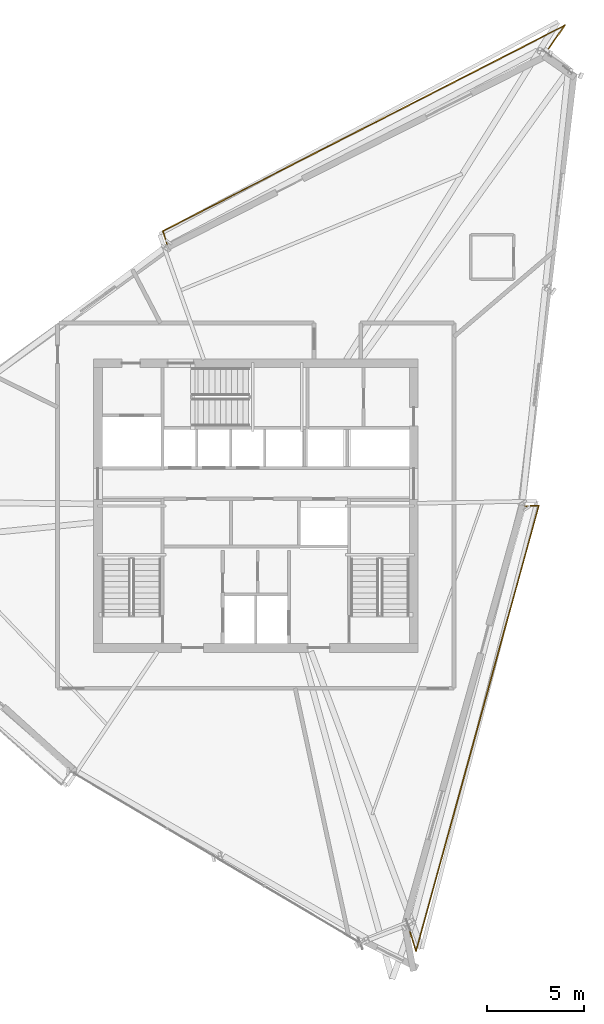
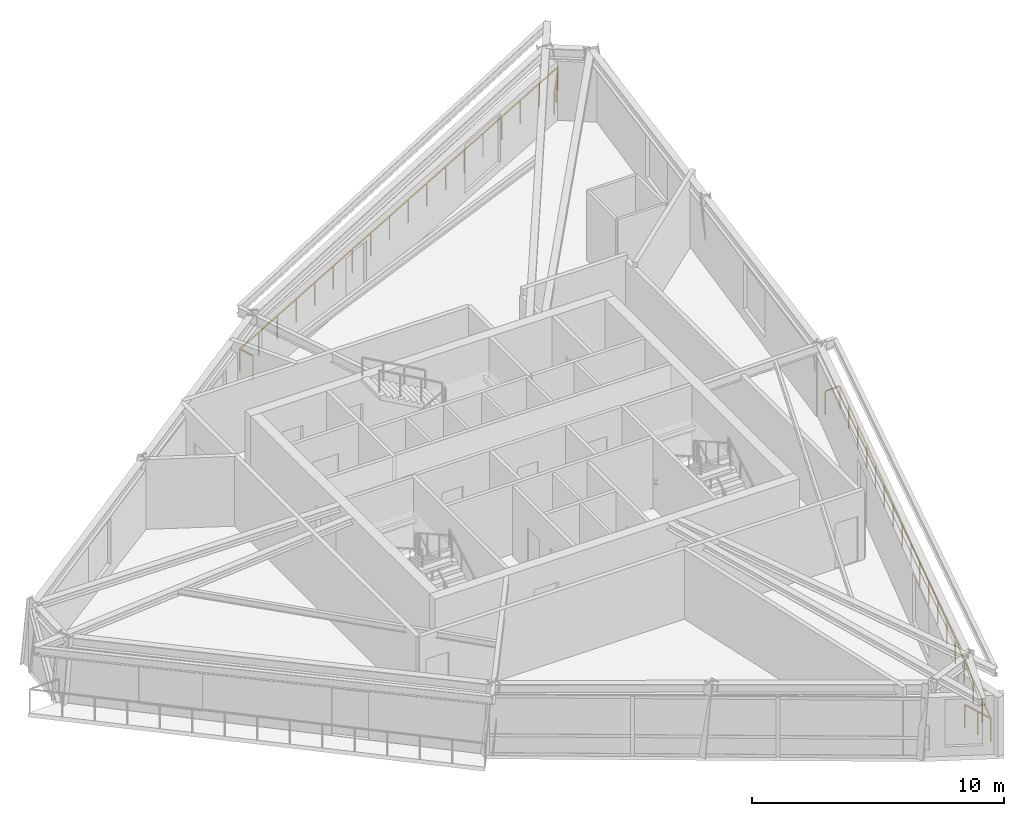
# One storey, part 14 of 14: 2 railings.
"""IFC4 building model written with IfcOpenShell, lengths in metres."""

from ifc_helpers import new_model, si_unit, direction, frame, origin, origin_2d, place, context, subcontext, project, spatial, rectangle, extrude, material, type_object, element, save


model = new_model("IFC4")

# Units and contexts
model_context = context("Model", 3, precision=1e-05, world=origin(), true_north=direction((0.0, 1.0)))
body_context = subcontext(model_context, "Body", "Model", "MODEL_VIEW")
ifc_project = project(units=[si_unit("LENGTHUNIT", "METRE"), si_unit("AREAUNIT", "SQUARE_METRE"), si_unit("VOLUMEUNIT", "CUBIC_METRE"), si_unit("PLANEANGLEUNIT", "RADIAN"), si_unit("MASSUNIT", "GRAM", prefix="KILO")], contexts=[model_context])

# Site, building, storey
site_placement = place(None, origin())
site = spatial("IfcSite", under=ifc_project, at=site_placement, CompositionType="ELEMENT")
building_placement = place(site_placement, origin())
building = spatial("IfcBuilding", under=site, at=building_placement, Name="Olszyna Solenne Hotel", CompositionType="ELEMENT")
storey_placement = place(building_placement, frame((0.0, 0.0, 259.699951171875)))
storey = spatial("IfcBuildingStorey", under=building, at=storey_placement, Name="L69", CompositionType="ELEMENT", Elevation=259.699951171875)

# Railings
ifc_material = material(Name="Anodised bronze aluminium", Category="aluminium")
railing_type = type_object("IfcRailingType", Name="GR-110", PredefinedType="BALUSTRADE", material=ifc_material)
railing_1_placement = place(storey_placement, frame((52.938232421875, 49.9248046875, 0.0)))
element("IfcRailing", 1, at=railing_1_placement, inside=storey, type_object=railing_type, Name="Loggia balcony balustrade guard GR-L69-LG1", PredefinedType="BALUSTRADE", context=body_context, shape_type="SweptSolid", body=[
    extrude(rectangle(XDim=0.048095703125, YDim=0.048095703125, at=origin_2d()), frame((0.0, 0.0, 1.1259765625), z_axis=(0.568902330631, 0.822405093736, 0.0), x_axis=(-0.822405093736, 0.568902330631, 0.0)), (0.0, 0.0, 1.0), 1.692138671875),
    extrude(rectangle(XDim=0.048095703125, YDim=0.048095703125, at=origin_2d()), frame((0.962646484375, 1.3916015625, 1.1259765625), z_axis=(-0.890231515056, -0.455508341966, 0.0), x_axis=(0.455508341966, -0.890231515056, 0.0)), (0.0, 0.0, 1.0), 23.2333984375),
    extrude(rectangle(XDim=0.048095703125, YDim=0.048095703125, at=origin_2d()), frame((-19.720458984375, -9.19140625, 1.1259765625), z_axis=(0.29321512236, -0.956046490512, 0.0), x_axis=(0.956046490512, 0.29321512236, 0.0)), (0.0, 0.0, 1.0), 0.70947265625),
    extrude(rectangle(XDim=0.0419921875, YDim=0.0419921875, at=origin_2d()), origin(), (0.0, 0.0, 1.0), 1.101806640625),
    extrude(rectangle(XDim=0.0419921875, YDim=0.0419921875, at=origin_2d()), frame((0.4814453125, 0.69580078125, 0.0)), (0.0, 0.0, 1.0), 1.101806640625),
    extrude(rectangle(XDim=0.0419921875, YDim=0.0419921875, at=origin_2d()), frame((0.962646484375, 1.3916015625, 0.0)), (0.0, 0.0, 1.0), 1.101806640625),
    extrude(rectangle(XDim=0.0419921875, YDim=0.0419921875, at=origin_2d()), frame((-0.25390625, 0.76904296875, 0.0)), (0.0, 0.0, 1.0), 1.101806640625),
    extrude(rectangle(XDim=0.0419921875, YDim=0.0419921875, at=origin_2d()), frame((-1.470703125, 0.146484375, 0.0)), (0.0, 0.0, 1.0), 1.101806640625),
    extrude(rectangle(XDim=0.0419921875, YDim=0.0419921875, at=origin_2d()), frame((-2.687255859375, -0.47607421875, 0.0)), (0.0, 0.0, 1.0), 1.101806640625),
    extrude(rectangle(XDim=0.0419921875, YDim=0.0419921875, at=origin_2d()), frame((-3.904052734375, -1.0986328125, 0.0)), (0.0, 0.0, 1.0), 1.101806640625),
    extrude(rectangle(XDim=0.0419921875, YDim=0.0419921875, at=origin_2d()), frame((-5.12060546875, -1.720947265625, 0.0)), (0.0, 0.0, 1.0), 1.101806640625),
    extrude(rectangle(XDim=0.0419921875, YDim=0.0419921875, at=origin_2d()), frame((-6.337158203125, -2.343505859375, 0.0)), (0.0, 0.0, 1.0), 1.101806640625),
    extrude(rectangle(XDim=0.0419921875, YDim=0.0419921875, at=origin_2d()), frame((-7.553955078125, -2.966064453125, 0.0)), (0.0, 0.0, 1.0), 1.101806640625),
    extrude(rectangle(XDim=0.0419921875, YDim=0.0419921875, at=origin_2d()), frame((-8.7705078125, -3.588623046875, 0.0)), (0.0, 0.0, 1.0), 1.101806640625),
    extrude(rectangle(XDim=0.0419921875, YDim=0.0419921875, at=origin_2d()), frame((-9.9873046875, -4.211181640625, 0.0)), (0.0, 0.0, 1.0), 1.101806640625),
    extrude(rectangle(XDim=0.0419921875, YDim=0.0419921875, at=origin_2d()), frame((-11.203857421875, -4.833740234375, 0.0)), (0.0, 0.0, 1.0), 1.101806640625),
    extrude(rectangle(XDim=0.0419921875, YDim=0.0419921875, at=origin_2d()), frame((-12.420654296875, -5.456298828125, 0.0)), (0.0, 0.0, 1.0), 1.101806640625),
    extrude(rectangle(XDim=0.0419921875, YDim=0.0419921875, at=origin_2d()), frame((-13.63720703125, -6.078857421875, 0.0)), (0.0, 0.0, 1.0), 1.101806640625),
    extrude(rectangle(XDim=0.0419921875, YDim=0.0419921875, at=origin_2d()), frame((-14.853759765625, -6.701171875, 0.0)), (0.0, 0.0, 1.0), 1.101806640625),
    extrude(rectangle(XDim=0.0419921875, YDim=0.0419921875, at=origin_2d()), frame((-16.070556640625, -7.32373046875, 0.0)), (0.0, 0.0, 1.0), 1.101806640625),
    extrude(rectangle(XDim=0.0419921875, YDim=0.0419921875, at=origin_2d()), frame((-17.287109375, -7.9462890625, 0.0)), (0.0, 0.0, 1.0), 1.101806640625),
    extrude(rectangle(XDim=0.0419921875, YDim=0.0419921875, at=origin_2d()), frame((-18.50390625, -8.56884765625, 0.0)), (0.0, 0.0, 1.0), 1.101806640625),
    extrude(rectangle(XDim=0.0419921875, YDim=0.0419921875, at=origin_2d()), frame((-19.720458984375, -9.19140625, 0.0)), (0.0, 0.0, 1.0), 1.101806640625),
    extrude(rectangle(XDim=0.0419921875, YDim=0.0419921875, at=origin_2d()), frame((-19.512451171875, -9.86962890625, 0.0)), (0.0, 0.0, 1.0), 1.101806640625),
])
railing_2_placement = place(storey_placement, frame((45.827880859375, 5.0166015625, 0.0)))
element("IfcRailing", 2, at=railing_2_placement, inside=storey, type_object=railing_type, Name="Loggia balcony balustrade guard GR-L69-LG3", PredefinedType="BALUSTRADE", context=body_context, shape_type="SweptSolid", body=[
    extrude(rectangle(XDim=0.048095703125, YDim=0.048095703125, at=origin_2d()), frame((0.0, 0.0, 1.1259765625), z_axis=(0.29326336713, -0.956031692728, 0.0), x_axis=(0.956031692728, 0.29326336713, 0.0)), (0.0, 0.0, 1.0), 1.41845703125),
    extrude(rectangle(XDim=0.048095703125, YDim=0.048095703125, at=origin_2d()), frame((0.416015625, -1.356201171875, 1.1259765625), z_axis=(0.265681009513, 0.964060994535, 0.0), x_axis=(-0.964060994535, 0.265681009513, 0.0)), (0.0, 0.0, 1.0), 23.787353515625),
    extrude(rectangle(XDim=0.048095703125, YDim=0.048095703125, at=origin_2d()), frame((6.73583984375, 21.576171875, 1.1259765625), z_axis=(-0.999674911636, -0.025496490839, 0.0), x_axis=(0.025496490839, -0.999674911636, 0.0)), (0.0, 0.0, 1.0), 0.689453125),
    extrude(rectangle(XDim=0.0419921875, YDim=0.0419921875, at=origin_2d()), origin(), (0.0, 0.0, 1.0), 1.101806640625),
    extrude(rectangle(XDim=0.0419921875, YDim=0.0419921875, at=origin_2d()), frame((0.2080078125, -0.67822265625, 0.0)), (0.0, 0.0, 1.0), 1.101806640625),
    extrude(rectangle(XDim=0.0419921875, YDim=0.0419921875, at=origin_2d()), frame((0.416015625, -1.356201171875, 0.0)), (0.0, 0.0, 1.0), 1.101806640625),
    extrude(rectangle(XDim=0.0419921875, YDim=0.0419921875, at=origin_2d()), frame((0.787841796875, -0.00732421875, 0.0)), (0.0, 0.0, 1.0), 1.101806640625),
    extrude(rectangle(XDim=0.0419921875, YDim=0.0419921875, at=origin_2d()), frame((1.159423828125, 1.341796875, 0.0)), (0.0, 0.0, 1.0), 1.101806640625),
    extrude(rectangle(XDim=0.0419921875, YDim=0.0419921875, at=origin_2d()), frame((1.53125, 2.690673828125, 0.0)), (0.0, 0.0, 1.0), 1.101806640625),
    extrude(rectangle(XDim=0.0419921875, YDim=0.0419921875, at=origin_2d()), frame((1.903076171875, 4.03955078125, 0.0)), (0.0, 0.0, 1.0), 1.101806640625),
    extrude(rectangle(XDim=0.0419921875, YDim=0.0419921875, at=origin_2d()), frame((2.27490234375, 5.388671875, 0.0)), (0.0, 0.0, 1.0), 1.101806640625),
    extrude(rectangle(XDim=0.0419921875, YDim=0.0419921875, at=origin_2d()), frame((2.646484375, 6.737548828125, 0.0)), (0.0, 0.0, 1.0), 1.101806640625),
    extrude(rectangle(XDim=0.0419921875, YDim=0.0419921875, at=origin_2d()), frame((3.018310546875, 8.08642578125, 0.0)), (0.0, 0.0, 1.0), 1.101806640625),
    extrude(rectangle(XDim=0.0419921875, YDim=0.0419921875, at=origin_2d()), frame((3.39013671875, 9.435546875, 0.0)), (0.0, 0.0, 1.0), 1.101806640625),
    extrude(rectangle(XDim=0.0419921875, YDim=0.0419921875, at=origin_2d()), frame((3.76171875, 10.784423828125, 0.0)), (0.0, 0.0, 1.0), 1.101806640625),
    extrude(rectangle(XDim=0.0419921875, YDim=0.0419921875, at=origin_2d()), frame((4.133544921875, 12.133544921875, 0.0)), (0.0, 0.0, 1.0), 1.101806640625),
    extrude(rectangle(XDim=0.0419921875, YDim=0.0419921875, at=origin_2d()), frame((4.50537109375, 13.482421875, 0.0)), (0.0, 0.0, 1.0), 1.101806640625),
    extrude(rectangle(XDim=0.0419921875, YDim=0.0419921875, at=origin_2d()), frame((4.876953125, 14.831298828125, 0.0)), (0.0, 0.0, 1.0), 1.101806640625),
    extrude(rectangle(XDim=0.0419921875, YDim=0.0419921875, at=origin_2d()), frame((5.248779296875, 16.180419921875, 0.0)), (0.0, 0.0, 1.0), 1.101806640625),
    extrude(rectangle(XDim=0.0419921875, YDim=0.0419921875, at=origin_2d()), frame((5.62060546875, 17.529296875, 0.0)), (0.0, 0.0, 1.0), 1.101806640625),
    extrude(rectangle(XDim=0.0419921875, YDim=0.0419921875, at=origin_2d()), frame((5.992431640625, 18.878173828125, 0.0)), (0.0, 0.0, 1.0), 1.101806640625),
    extrude(rectangle(XDim=0.0419921875, YDim=0.0419921875, at=origin_2d()), frame((6.364013671875, 20.227294921875, 0.0)), (0.0, 0.0, 1.0), 1.101806640625),
    extrude(rectangle(XDim=0.0419921875, YDim=0.0419921875, at=origin_2d()), frame((6.73583984375, 21.576171875, 0.0)), (0.0, 0.0, 1.0), 1.101806640625),
    extrude(rectangle(XDim=0.0419921875, YDim=0.0419921875, at=origin_2d()), frame((6.046630859375, 21.55859375, 0.0)), (0.0, 0.0, 1.0), 1.101806640625),
])

save(model, "model.ifc")
